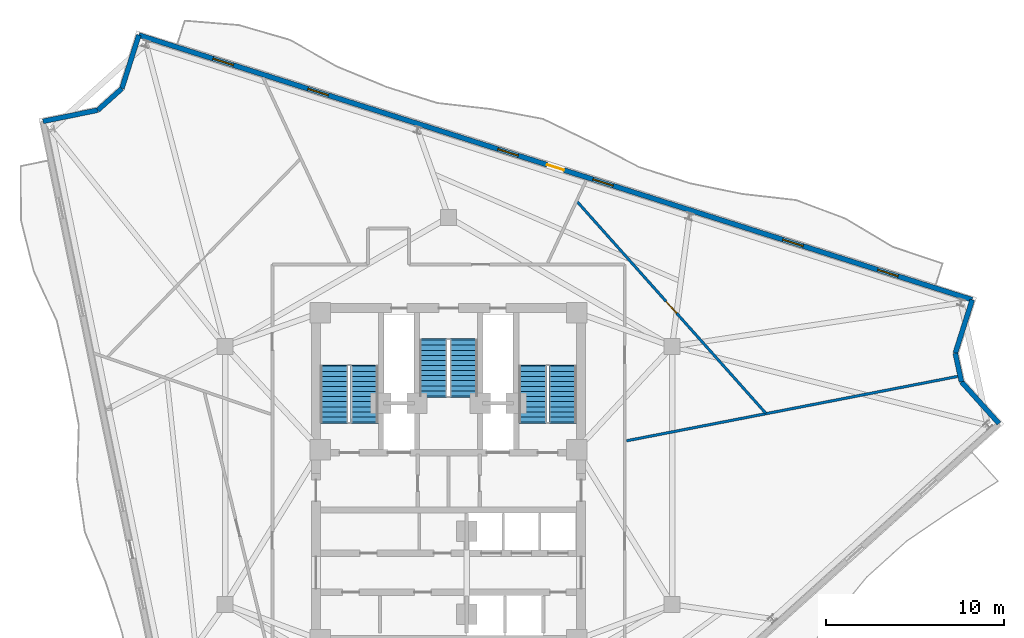
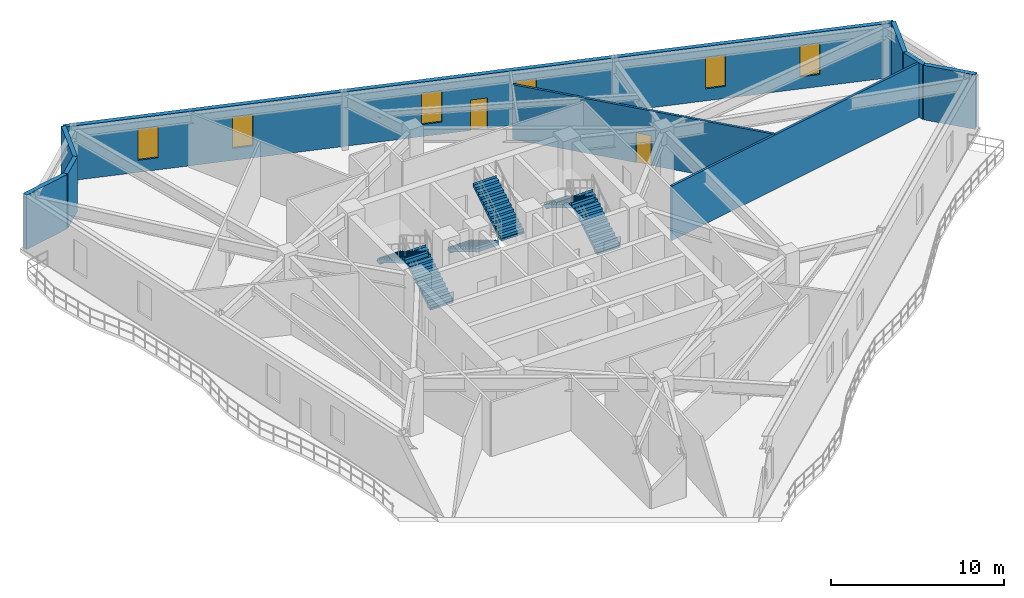
# One storey, part 8 of 12: 9 walls, 6 stair flights, 6 windows, 2 doors, 8 openings, 3 elements without a shape of their own.
"""IFC4 building model written with IfcOpenShell, lengths in metres."""

from ifc_helpers import new_model, si_unit, direction, frame, frame_2d, origin, place, context, subcontext, project, spatial, polyline, rectangle, outline, extrude, material, layer, layer_set, type_object, element, fill, aggregate, save


model = new_model("IFC4")

# Units and contexts
model_context = context("Model", 3, precision=1e-05, world=origin(), true_north=direction((0.0, 1.0)))
body_context = subcontext(model_context, "Body", "Model", "MODEL_VIEW")
ifc_project = project(units=[si_unit("LENGTHUNIT", "METRE"), si_unit("AREAUNIT", "SQUARE_METRE"), si_unit("VOLUMEUNIT", "CUBIC_METRE"), si_unit("PLANEANGLEUNIT", "RADIAN"), si_unit("MASSUNIT", "GRAM", prefix="KILO")], contexts=[model_context])

# Site, building, storey
site_placement = place(None, origin())
site = spatial("IfcSite", under=ifc_project, at=site_placement, CompositionType="ELEMENT")
building_placement = place(site_placement, origin())
building = spatial("IfcBuilding", under=site, at=building_placement, Name="Apsidion Concourse Tower", CompositionType="ELEMENT")
storey_placement = place(building_placement, frame((0.0, 0.0, 240.39990234375)))
storey = spatial("IfcBuildingStorey", under=building, at=storey_placement, Name="L56", CompositionType="ELEMENT", Elevation=240.39990234375)

# Wall, openings, door, windows
ifc_material_1 = material(Name="Precast concrete C40/50", Category="concrete")
ifc_layer_1 = layer(ifc_material_1, 0.280029296875)
ifc_layer_set_1 = layer_set([ifc_layer_1], Name="Precast concrete C40/50")
wall_type_1 = type_object("IfcWallType", Name="WL-EXT-280", PredefinedType="STANDARD", material=ifc_layer_set_1)
wall_1_placement = place(storey_placement, frame((-17.4072265625, 24.74755859375, 0.0), z_axis=(0.0, 0.0, 1.0), x_axis=(0.953082756031, -0.302709861346, 0.0)))
wall_1 = element("IfcWall", 1, at=wall_1_placement, inside=storey, type_object=wall_type_1, Name="L56 Precast Stone Facade Wall 01", PredefinedType="STANDARD", context=body_context, shape_type="SweptSolid", body=[
    extrude(rectangle(XDim=49.14501953125, YDim=0.280029296875, at=frame_2d((24.572509765625, 0.0))), origin(), (0.0, 0.0, 1.0), 3.85009765625),
])
opening_1_placement = place(wall_1_placement, frame((24.072509765625, 0.0, 0.0)))
opening_1 = element("IfcOpeningElement", 2, at=opening_1_placement, cuts=wall_1, Name="Opening D-T1L", PredefinedType="OPENING", context=body_context, shape_type="SweptSolid", body=[
    extrude(rectangle(XDim=1.0, YDim=2.14990234375, at=frame_2d((0.5, 1.074951171875))), frame((0.0, 0.14990234375, 0.0), z_axis=(0.0, -1.0, 0.0), x_axis=(1.0, 0.0, 0.0)), (0.0, 0.0, 1.0), 0.300048828125),
])
opening_2_placement = place(wall_1_placement, frame((4.37255859375, 0.0, 0.85009765625)))
opening_2 = element("IfcOpeningElement", 3, at=opening_2_placement, cuts=wall_1, Name="Opening WN-06", PredefinedType="OPENING", context=body_context, shape_type="SweptSolid", body=[
    extrude(rectangle(XDim=1.199951171875, YDim=2.199951171875, at=frame_2d((0.60009765625, 1.10009765625))), frame((0.0, 0.14990234375, 0.0), z_axis=(0.0, -1.0, 0.0), x_axis=(1.0, 0.0, 0.0)), (0.0, 0.0, 1.0), 0.300048828125),
])
opening_3_placement = place(wall_1_placement, frame((9.97265625, 0.0, 0.85009765625)))
opening_3 = element("IfcOpeningElement", 4, at=opening_3_placement, cuts=wall_1, Name="Opening WN-06", PredefinedType="OPENING", context=body_context, shape_type="SweptSolid", body=[
    extrude(rectangle(XDim=1.199951171875, YDim=2.199951171875, at=frame_2d((0.60009765625, 1.10009765625))), frame((0.0, 0.14990234375, 0.0), z_axis=(0.0, -1.0, 0.0), x_axis=(1.0, 0.0, 0.0)), (0.0, 0.0, 1.0), 0.300048828125),
])
opening_4_placement = place(wall_1_placement, frame((21.172607421875, 0.0, 0.85009765625)))
opening_4 = element("IfcOpeningElement", 5, at=opening_4_placement, cuts=wall_1, Name="Opening WN-06", PredefinedType="OPENING", context=body_context, shape_type="SweptSolid", body=[
    extrude(rectangle(XDim=1.199951171875, YDim=2.199951171875, at=frame_2d((0.60009765625, 1.10009765625))), frame((0.0, 0.14990234375, 0.0), z_axis=(0.0, -1.0, 0.0), x_axis=(1.0, 0.0, 0.0)), (0.0, 0.0, 1.0), 0.300048828125),
])
opening_5_placement = place(wall_1_placement, frame((26.772705078125, 0.0, 0.85009765625)))
opening_5 = element("IfcOpeningElement", 6, at=opening_5_placement, cuts=wall_1, Name="Opening WN-06", PredefinedType="OPENING", context=body_context, shape_type="SweptSolid", body=[
    extrude(rectangle(XDim=1.199951171875, YDim=2.199951171875, at=frame_2d((0.60009765625, 1.10009765625))), frame((0.0, 0.14990234375, 0.0), z_axis=(0.0, -1.0, 0.0), x_axis=(1.0, 0.0, 0.0)), (0.0, 0.0, 1.0), 0.300048828125),
])
opening_6_placement = place(wall_1_placement, frame((37.97265625, 0.0, 0.85009765625)))
opening_6 = element("IfcOpeningElement", 7, at=opening_6_placement, cuts=wall_1, Name="Opening WN-06", PredefinedType="OPENING", context=body_context, shape_type="SweptSolid", body=[
    extrude(rectangle(XDim=1.199951171875, YDim=2.199951171875, at=frame_2d((0.60009765625, 1.10009765625))), frame((0.0, 0.14990234375, 0.0), z_axis=(0.0, -1.0, 0.0), x_axis=(1.0, 0.0, 0.0)), (0.0, 0.0, 1.0), 0.300048828125),
])
opening_7_placement = place(wall_1_placement, frame((43.572509765625, 0.0, 0.85009765625)))
opening_7 = element("IfcOpeningElement", 8, at=opening_7_placement, cuts=wall_1, Name="Opening WN-06", PredefinedType="OPENING", context=body_context, shape_type="SweptSolid", body=[
    extrude(rectangle(XDim=1.199951171875, YDim=2.199951171875, at=frame_2d((0.60009765625, 1.10009765625))), frame((0.0, 0.14990234375, 0.0), z_axis=(0.0, -1.0, 0.0), x_axis=(1.0, 0.0, 0.0)), (0.0, 0.0, 1.0), 0.300048828125),
])
ifc_material_2 = material(Name="Anodised aluminium EN AW-6063 T6", Category="aluminium")
door_type_1 = type_object("IfcDoorType", Name="DR-TER-1022L", OperationType="SINGLE_SWING_LEFT", PredefinedType="DOOR", material=ifc_material_2)
door_1_placement = place(opening_1_placement, origin())
door_1 = element("IfcDoor", 9, at=door_1_placement, inside=storey, type_object=door_type_1, Name="L56 Balcony Access Door 3", OperationType="SINGLE_SWING_LEFT", OverallHeight=2.14990234375, OverallWidth=1.0, PredefinedType="DOOR", context=body_context, shape_type="SweptSolid", body=[
    extrude(rectangle(XDim=1.0, YDim=2.14990234375, at=frame_2d((0.5, 1.074951171875))), frame((0.0, 0.02490234375, 0.0), z_axis=(0.0, -1.0, 0.0), x_axis=(1.0, 0.0, 0.0)), (0.0, 0.0, 1.0), 0.050048828125),
])
fill(opening_1, door_1)
ifc_material_3 = material(Name="Insulated laminated low-E glass", Category="glass")
window_type = type_object("IfcWindowType", Name="WN-OFF-1224", PartitioningType="SINGLE_PANEL", PredefinedType="WINDOW", material=ifc_material_3)
window_1_placement = place(opening_2_placement, origin())
window_1 = element("IfcWindow", 10, at=window_1_placement, inside=storey, type_object=window_type, Name="L56 Punched Facade Window 1-01", OverallHeight=2.199951171875, OverallWidth=1.199951171875, PartitioningType="SINGLE_PANEL", PredefinedType="WINDOW", context=body_context, shape_type="SweptSolid", body=[
    extrude(rectangle(XDim=1.199951171875, YDim=2.199951171875, at=frame_2d((0.60009765625, 1.10009765625))), frame((0.0, 0.030029296875, 0.0), z_axis=(0.0, -1.0, 0.0), x_axis=(1.0, 0.0, 0.0)), (0.0, 0.0, 1.0), 0.06005859375),
])
fill(opening_2, window_1)
window_2_placement = place(opening_3_placement, origin())
window_2 = element("IfcWindow", 11, at=window_2_placement, inside=storey, type_object=window_type, Name="L56 Punched Facade Window 1-02", OverallHeight=2.199951171875, OverallWidth=1.199951171875, PartitioningType="SINGLE_PANEL", PredefinedType="WINDOW", context=body_context, shape_type="SweptSolid", body=[
    extrude(rectangle(XDim=1.199951171875, YDim=2.199951171875, at=frame_2d((0.60009765625, 1.10009765625))), frame((0.0, 0.030029296875, 0.0), z_axis=(0.0, -1.0, 0.0), x_axis=(1.0, 0.0, 0.0)), (0.0, 0.0, 1.0), 0.06005859375),
])
fill(opening_3, window_2)
window_3_placement = place(opening_4_placement, origin())
window_3 = element("IfcWindow", 12, at=window_3_placement, inside=storey, type_object=window_type, Name="L56 Punched Facade Window 1-04", OverallHeight=2.199951171875, OverallWidth=1.199951171875, PartitioningType="SINGLE_PANEL", PredefinedType="WINDOW", context=body_context, shape_type="SweptSolid", body=[
    extrude(rectangle(XDim=1.199951171875, YDim=2.199951171875, at=frame_2d((0.60009765625, 1.10009765625))), frame((0.0, 0.030029296875, 0.0), z_axis=(0.0, -1.0, 0.0), x_axis=(1.0, 0.0, 0.0)), (0.0, 0.0, 1.0), 0.06005859375),
])
fill(opening_4, window_3)
window_4_placement = place(opening_5_placement, origin())
window_4 = element("IfcWindow", 13, at=window_4_placement, inside=storey, type_object=window_type, Name="L56 Punched Facade Window 1-05", OverallHeight=2.199951171875, OverallWidth=1.199951171875, PartitioningType="SINGLE_PANEL", PredefinedType="WINDOW", context=body_context, shape_type="SweptSolid", body=[
    extrude(rectangle(XDim=1.199951171875, YDim=2.199951171875, at=frame_2d((0.60009765625, 1.10009765625))), frame((0.0, 0.030029296875, 0.0), z_axis=(0.0, -1.0, 0.0), x_axis=(1.0, 0.0, 0.0)), (0.0, 0.0, 1.0), 0.06005859375),
])
fill(opening_5, window_4)
window_5_placement = place(opening_6_placement, origin())
window_5 = element("IfcWindow", 14, at=window_5_placement, inside=storey, type_object=window_type, Name="L56 Punched Facade Window 1-07", OverallHeight=2.199951171875, OverallWidth=1.199951171875, PartitioningType="SINGLE_PANEL", PredefinedType="WINDOW", context=body_context, shape_type="SweptSolid", body=[
    extrude(rectangle(XDim=1.199951171875, YDim=2.199951171875, at=frame_2d((0.60009765625, 1.10009765625))), frame((0.0, 0.030029296875, 0.0), z_axis=(0.0, -1.0, 0.0), x_axis=(1.0, 0.0, 0.0)), (0.0, 0.0, 1.0), 0.06005859375),
])
fill(opening_6, window_5)
window_6_placement = place(opening_7_placement, origin())
window_6 = element("IfcWindow", 15, at=window_6_placement, inside=storey, type_object=window_type, Name="L56 Punched Facade Window 1-08", OverallHeight=2.199951171875, OverallWidth=1.199951171875, PartitioningType="SINGLE_PANEL", PredefinedType="WINDOW", context=body_context, shape_type="SweptSolid", body=[
    extrude(rectangle(XDim=1.199951171875, YDim=2.199951171875, at=frame_2d((0.60009765625, 1.10009765625))), frame((0.0, 0.030029296875, 0.0), z_axis=(0.0, -1.0, 0.0), x_axis=(1.0, 0.0, 0.0)), (0.0, 0.0, 1.0), 0.06005859375),
])
fill(opening_7, window_6)

# Walls
wall_2_placement = place(storey_placement, frame((29.43212890625, 9.870849609375, 0.0), z_axis=(0.0, 0.0, 1.0), x_axis=(-0.30264059672, -0.953104752489, 0.0)))
element("IfcWall", 16, at=wall_2_placement, inside=storey, type_object=wall_type_1, Name="L56 Precast Stone Facade Wall 02", PredefinedType="STANDARD", context=body_context, shape_type="SweptSolid", body=[
    extrude(rectangle(XDim=3.150146484375, YDim=0.280029296875, at=frame_2d((1.5751953125, 0.0))), origin(), (0.0, 0.0, 1.0), 3.85009765625),
])
wall_3_placement = place(storey_placement, frame((28.478759765625, 6.868408203125, 0.0), z_axis=(0.0, 0.0, 1.0), x_axis=(0.211126358094, -0.977458777094, 0.0)))
element("IfcWall", 17, at=wall_3_placement, inside=storey, type_object=wall_type_1, Name="L56 Precast Stone Facade Wall 03", PredefinedType="STANDARD", context=body_context, shape_type="SweptSolid", body=[
    extrude(rectangle(XDim=1.64892578125, YDim=0.280029296875, at=frame_2d((0.824462890625, 0.0))), origin(), (0.0, 0.0, 1.0), 3.85009765625),
])
wall_4_placement = place(storey_placement, frame((28.826904296875, 5.256591796875, 0.0), z_axis=(0.0, 0.0, 1.0), x_axis=(0.669127439782, -0.743147676663, 0.0)))
element("IfcWall", 18, at=wall_4_placement, inside=storey, type_object=wall_type_1, Name="L56 Precast Stone Facade Wall 04", PredefinedType="STANDARD", context=body_context, shape_type="SweptSolid", body=[
    extrude(rectangle(XDim=3.14990234375, YDim=0.280029296875, at=frame_2d((1.574951171875, 0.0))), origin(), (0.0, 0.0, 1.0), 3.85009765625),
])
wall_5_placement = place(storey_placement, frame((-22.79248046875, 19.898681640625, 0.0), z_axis=(0.0, 0.0, 1.0), x_axis=(0.979502474011, 0.201432131016, 0.0)))
element("IfcWall", 19, at=wall_5_placement, inside=storey, type_object=wall_type_1, Name="L56 Precast Stone Facade Wall 10", PredefinedType="STANDARD", context=body_context, shape_type="SweptSolid", body=[
    extrude(rectangle(XDim=3.1513671875, YDim=0.280029296875, at=frame_2d((1.57568359375, 0.0))), origin(), (0.0, 0.0, 1.0), 3.85009765625),
])
wall_6_placement = place(storey_placement, frame((-19.705810546875, 20.533447265625, 0.0), z_axis=(0.0, 0.0, 1.0), x_axis=(0.743173371482, 0.669098901449, 0.0)))
element("IfcWall", 20, at=wall_6_placement, inside=storey, type_object=wall_type_1, Name="L56 Precast Stone Facade Wall 11", PredefinedType="STANDARD", context=body_context, shape_type="SweptSolid", body=[
    extrude(rectangle(XDim=1.809326171875, YDim=0.280029296875, at=frame_2d((0.90478515625, 0.0))), origin(), (0.0, 0.0, 1.0), 3.85009765625),
])
wall_7_placement = place(storey_placement, frame((-18.361083984375, 21.744140625, 0.0), z_axis=(0.0, 0.0, 1.0), x_axis=(0.302691963624, 0.953088440365, 0.0)))
element("IfcWall", 21, at=wall_7_placement, inside=storey, type_object=wall_type_1, Name="L56 Precast Stone Facade Wall 12", PredefinedType="STANDARD", context=body_context, shape_type="SweptSolid", body=[
    extrude(rectangle(XDim=3.1513671875, YDim=0.280029296875, at=frame_2d((1.57568359375, 0.0))), origin(), (0.0, 0.0, 1.0), 3.85009765625),
])
ifc_material_4 = material(Name="Gypsum plasterboard partition")
ifc_layer_2 = layer(ifc_material_4, 0.14990234375)
ifc_layer_set_2 = layer_set([ifc_layer_2], Name="Gypsum plasterboard partition")
wall_type_2 = type_object("IfcWallType", Name="WL-INT-PAR-150", PredefinedType="PARTITIONING", material=ifc_layer_set_2)
wall_8_placement = place(storey_placement, frame((10.0048828125, 1.94482421875, 0.0), z_axis=(0.0, 0.0, 1.0), x_axis=(0.981627928787, 0.190805160896, 0.0)))
element("IfcWall", 22, at=wall_8_placement, inside=storey, type_object=wall_type_2, Name="L56 Interior Partition WL-L56-RAD-01-1", PredefinedType="PARTITIONING", context=body_context, shape_type="SweptSolid", body=[
    extrude(rectangle(XDim=18.946044921875, YDim=0.14990234375, at=frame_2d((9.47314453125, 0.0))), origin(), (0.0, 0.0, 1.0), 3.85009765625),
])

# Wall, opening, door
wall_9_placement = place(storey_placement, frame((17.830322265625, 3.4912109375, 0.0), z_axis=(0.0, 0.0, 1.0), x_axis=(-0.665420932844, 0.746468339672, 0.0)))
wall_9 = element("IfcWall", 23, at=wall_9_placement, inside=storey, type_object=wall_type_2, Name="L56 Interior Partition WL-L56-CHD-OFS04", PredefinedType="PARTITIONING", context=body_context, shape_type="SweptSolid", body=[
    extrude(rectangle(XDim=15.959228515625, YDim=0.14990234375, at=frame_2d((7.9794921875, 0.0))), origin(), (0.0, 0.0, 1.0), 3.85009765625),
])
opening_8_placement = place(wall_9_placement, frame((7.529541015625, 0.0, 0.0)))
opening_8 = element("IfcOpeningElement", 24, at=opening_8_placement, cuts=wall_9, Name="Opening D-02L", PredefinedType="OPENING", context=body_context, shape_type="SweptSolid", body=[
    extrude(rectangle(XDim=0.89990234375, YDim=2.10009765625, at=frame_2d((0.449951171875, 1.050048828125))), frame((0.0, 0.0849609375, 0.0), z_axis=(0.0, -1.0, 0.0), x_axis=(1.0, 0.0, 0.0)), (0.0, 0.0, 1.0), 0.169921875),
])
door_type_2 = type_object("IfcDoorType", Name="DR-INT-D02L", OperationType="SINGLE_SWING_LEFT", PredefinedType="DOOR", material=ifc_material_2)
door_2_placement = place(opening_8_placement, origin())
door_2 = element("IfcDoor", 25, at=door_2_placement, inside=storey, type_object=door_type_2, Name="L56 Suite Connecting Door OFS04", OperationType="SINGLE_SWING_LEFT", OverallHeight=2.10009765625, OverallWidth=0.89990234375, PredefinedType="DOOR", context=body_context, shape_type="SweptSolid", body=[
    extrude(rectangle(XDim=0.89990234375, YDim=2.10009765625, at=frame_2d((0.449951171875, 1.050048828125))), frame((0.0, 0.02490234375, 0.0), z_axis=(0.0, -1.0, 0.0), x_axis=(1.0, 0.0, 0.0)), (0.0, 0.0, 1.0), 0.050048828125),
])
fill(opening_8, door_2)

# Stair, stair flights
stair_type = type_object("IfcStairType", Name="ST-DL-1550", PredefinedType="HALF_TURN_STAIR", material=ifc_material_1)
stair_1_placement = place(storey_placement, origin())
stair_1 = element("IfcStair", 26, at=stair_1_placement, inside=storey, type_object=stair_type, Name="L56 Protected Core Exit Stair ST1", PredefinedType="HALF_TURN_STAIR")
stair_flight_type = type_object("IfcStairFlightType", Name="SFL-RC-1550", PredefinedType="STRAIGHT", material=ifc_material_1)
stair_flight_1_placement = place(storey_placement, frame((-4.72509765625, 3.0, 0.0), z_axis=(0.0, 0.0, 1.0), x_axis=(0.0, 1.0, 0.0)))
stair_flight_1 = element("IfcStairFlight", 27, at=stair_flight_1_placement, type_object=stair_flight_type, Name="ST1 flight 1", NumberOfRisers=12, NumberOfTreads=11, PredefinedType="STRAIGHT", RiserHeight=0.170833333, TreadLength=0.285, context=body_context, shape_type="SweptSolid", body=[
    extrude(outline(polyline([(-0.080078125, -0.1123046875), (-0.080078125, 0.0), (0.0, 0.0), (0.0, 0.1708984375), (0.284912109375, 0.1708984375), (0.284912109375, 0.341552734375), (0.570068359375, 0.341552734375), (0.570068359375, 0.512451171875), (0.85498046875, 0.512451171875), (0.85498046875, 0.683349609375), (1.139892578125, 0.683349609375), (1.139892578125, 0.854248046875), (1.425048828125, 0.854248046875), (1.425048828125, 1.02490234375), (1.7099609375, 1.02490234375), (1.7099609375, 1.19580078125), (1.9951171875, 1.19580078125), (1.9951171875, 1.36669921875), (2.280029296875, 1.36669921875), (2.280029296875, 1.53759765625), (2.56494140625, 1.53759765625), (2.56494140625, 1.708251953125), (2.85009765625, 1.708251953125), (2.85009765625, 1.879150390625), (3.135009765625, 1.879150390625), (3.135009765625, 2.050048828125), (3.215087890625, 1.964599609375), (3.215087890625, 1.704345703125), (3.135009765625, 1.704345703125), (0.29150390625, 0.0), (0.29150390625, -0.1123046875), (-0.080078125, -0.1123046875)])), frame((0.0, 0.77490234375, 0.0), z_axis=(0.0, -1.0, 0.0), x_axis=(1.0, 0.0, 0.0)), (0.0, 0.0, 1.0), 1.550048828125),
])
stair_flight_2_placement = place(storey_placement, frame((-6.425048828125, 6.135009765625, 2.050048828125), z_axis=(0.0, 0.0, 1.0), x_axis=(0.0, -1.0, 0.0)))
stair_flight_2 = element("IfcStairFlight", 28, at=stair_flight_2_placement, type_object=stair_flight_type, Name="ST1 flight 2", NumberOfRisers=12, NumberOfTreads=11, PredefinedType="STRAIGHT", RiserHeight=0.170833333, TreadLength=0.285, context=body_context, shape_type="SweptSolid", body=[
    extrude(outline(polyline([(-0.080078125, -0.1123046875), (-0.080078125, 0.0), (0.0, 0.0), (0.0, 0.1708984375), (0.284912109375, 0.1708984375), (0.284912109375, 0.341552734375), (0.570068359375, 0.341552734375), (0.570068359375, 0.512451171875), (0.85498046875, 0.512451171875), (0.85498046875, 0.683349609375), (1.139892578125, 0.683349609375), (1.139892578125, 0.854248046875), (1.425048828125, 0.854248046875), (1.425048828125, 1.02490234375), (1.7099609375, 1.02490234375), (1.7099609375, 1.19580078125), (1.9951171875, 1.19580078125), (1.9951171875, 1.36669921875), (2.280029296875, 1.36669921875), (2.280029296875, 1.53759765625), (2.56494140625, 1.53759765625), (2.56494140625, 1.708251953125), (2.85009765625, 1.708251953125), (2.85009765625, 1.879150390625), (3.135009765625, 1.879150390625), (3.135009765625, 2.050048828125), (3.215087890625, 1.964599609375), (3.215087890625, 1.704345703125), (3.135009765625, 1.704345703125), (0.29150390625, 0.0), (0.29150390625, -0.1123046875), (-0.080078125, -0.1123046875)])), frame((0.0, 0.77490234375, 0.0), z_axis=(0.0, -1.0, 0.0), x_axis=(1.0, 0.0, 0.0)), (0.0, 0.0, 1.0), 1.550048828125),
])
aggregate(stair_1, [stair_flight_1, stair_flight_2])

stair_2_placement = place(storey_placement, origin())
stair_2 = element("IfcStair", 29, at=stair_2_placement, inside=storey, type_object=stair_type, Name="L56 Protected Core Exit Stair ST2", PredefinedType="HALF_TURN_STAIR")
stair_flight_3_placement = place(storey_placement, frame((6.425048828125, 3.0, 0.0), z_axis=(0.0, 0.0, 1.0), x_axis=(0.0, 1.0, 0.0)))
stair_flight_3 = element("IfcStairFlight", 30, at=stair_flight_3_placement, type_object=stair_flight_type, Name="ST2 flight 1", NumberOfRisers=12, NumberOfTreads=11, PredefinedType="STRAIGHT", RiserHeight=0.170833333, TreadLength=0.285, context=body_context, shape_type="SweptSolid", body=[
    extrude(outline(polyline([(-0.080078125, -0.1123046875), (-0.080078125, 0.0), (0.0, 0.0), (0.0, 0.1708984375), (0.284912109375, 0.1708984375), (0.284912109375, 0.341552734375), (0.570068359375, 0.341552734375), (0.570068359375, 0.512451171875), (0.85498046875, 0.512451171875), (0.85498046875, 0.683349609375), (1.139892578125, 0.683349609375), (1.139892578125, 0.854248046875), (1.425048828125, 0.854248046875), (1.425048828125, 1.02490234375), (1.7099609375, 1.02490234375), (1.7099609375, 1.19580078125), (1.9951171875, 1.19580078125), (1.9951171875, 1.36669921875), (2.280029296875, 1.36669921875), (2.280029296875, 1.53759765625), (2.56494140625, 1.53759765625), (2.56494140625, 1.708251953125), (2.85009765625, 1.708251953125), (2.85009765625, 1.879150390625), (3.135009765625, 1.879150390625), (3.135009765625, 2.050048828125), (3.215087890625, 1.964599609375), (3.215087890625, 1.704345703125), (3.135009765625, 1.704345703125), (0.29150390625, 0.0), (0.29150390625, -0.1123046875), (-0.080078125, -0.1123046875)])), frame((0.0, 0.77490234375, 0.0), z_axis=(0.0, -1.0, 0.0), x_axis=(1.0, 0.0, 0.0)), (0.0, 0.0, 1.0), 1.550048828125),
])
stair_flight_4_placement = place(storey_placement, frame((4.72509765625, 6.135009765625, 2.050048828125), z_axis=(0.0, 0.0, 1.0), x_axis=(0.0, -1.0, 0.0)))
stair_flight_4 = element("IfcStairFlight", 31, at=stair_flight_4_placement, type_object=stair_flight_type, Name="ST2 flight 2", NumberOfRisers=12, NumberOfTreads=11, PredefinedType="STRAIGHT", RiserHeight=0.170833333, TreadLength=0.285, context=body_context, shape_type="SweptSolid", body=[
    extrude(outline(polyline([(-0.080078125, -0.1123046875), (-0.080078125, 0.0), (0.0, 0.0), (0.0, 0.1708984375), (0.284912109375, 0.1708984375), (0.284912109375, 0.341552734375), (0.570068359375, 0.341552734375), (0.570068359375, 0.512451171875), (0.85498046875, 0.512451171875), (0.85498046875, 0.683349609375), (1.139892578125, 0.683349609375), (1.139892578125, 0.854248046875), (1.425048828125, 0.854248046875), (1.425048828125, 1.02490234375), (1.7099609375, 1.02490234375), (1.7099609375, 1.19580078125), (1.9951171875, 1.19580078125), (1.9951171875, 1.36669921875), (2.280029296875, 1.36669921875), (2.280029296875, 1.53759765625), (2.56494140625, 1.53759765625), (2.56494140625, 1.708251953125), (2.85009765625, 1.708251953125), (2.85009765625, 1.879150390625), (3.135009765625, 1.879150390625), (3.135009765625, 2.050048828125), (3.215087890625, 1.964599609375), (3.215087890625, 1.704345703125), (3.135009765625, 1.704345703125), (0.29150390625, 0.0), (0.29150390625, -0.1123046875), (-0.080078125, -0.1123046875)])), frame((0.0, 0.77490234375, 0.0), z_axis=(0.0, -1.0, 0.0), x_axis=(1.0, 0.0, 0.0)), (0.0, 0.0, 1.0), 1.550048828125),
])
aggregate(stair_2, [stair_flight_3, stair_flight_4])

stair_3_placement = place(storey_placement, origin())
stair_3 = element("IfcStair", 32, at=stair_3_placement, inside=storey, type_object=stair_type, Name="L56 Protected Core Exit Stair ST3", PredefinedType="HALF_TURN_STAIR")
stair_flight_5_placement = place(storey_placement, frame((-0.85009765625, 7.60009765625, 0.0), z_axis=(0.0, 0.0, 1.0), x_axis=(0.0, -1.0, 0.0)))
stair_flight_5 = element("IfcStairFlight", 33, at=stair_flight_5_placement, type_object=stair_flight_type, Name="ST3 flight 1", NumberOfRisers=12, NumberOfTreads=11, PredefinedType="STRAIGHT", RiserHeight=0.170833333, TreadLength=0.285, context=body_context, shape_type="SweptSolid", body=[
    extrude(outline(polyline([(-0.080078125, -0.1123046875), (-0.080078125, 0.0), (0.0, 0.0), (0.0, 0.1708984375), (0.284912109375, 0.1708984375), (0.284912109375, 0.341552734375), (0.570068359375, 0.341552734375), (0.570068359375, 0.512451171875), (0.85498046875, 0.512451171875), (0.85498046875, 0.683349609375), (1.139892578125, 0.683349609375), (1.139892578125, 0.854248046875), (1.425048828125, 0.854248046875), (1.425048828125, 1.02490234375), (1.7099609375, 1.02490234375), (1.7099609375, 1.19580078125), (1.9951171875, 1.19580078125), (1.9951171875, 1.36669921875), (2.280029296875, 1.36669921875), (2.280029296875, 1.53759765625), (2.56494140625, 1.53759765625), (2.56494140625, 1.708251953125), (2.85009765625, 1.708251953125), (2.85009765625, 1.879150390625), (3.135009765625, 1.879150390625), (3.135009765625, 2.050048828125), (3.215087890625, 1.964599609375), (3.215087890625, 1.704345703125), (3.135009765625, 1.704345703125), (0.29150390625, 0.0), (0.29150390625, -0.1123046875), (-0.080078125, -0.1123046875)])), frame((0.0, 0.77490234375, 0.0), z_axis=(0.0, -1.0, 0.0), x_axis=(1.0, 0.0, 0.0)), (0.0, 0.0, 1.0), 1.550048828125),
])
stair_flight_6_placement = place(storey_placement, frame((0.85009765625, 4.465087890625, 2.050048828125), z_axis=(0.0, 0.0, 1.0), x_axis=(0.0, 1.0, 0.0)))
stair_flight_6 = element("IfcStairFlight", 34, at=stair_flight_6_placement, type_object=stair_flight_type, Name="ST3 flight 2", NumberOfRisers=12, NumberOfTreads=11, PredefinedType="STRAIGHT", RiserHeight=0.170833333, TreadLength=0.285, context=body_context, shape_type="SweptSolid", body=[
    extrude(outline(polyline([(-0.080078125, -0.1123046875), (-0.080078125, 0.0), (0.0, 0.0), (0.0, 0.1708984375), (0.284912109375, 0.1708984375), (0.284912109375, 0.341552734375), (0.570068359375, 0.341552734375), (0.570068359375, 0.512451171875), (0.85498046875, 0.512451171875), (0.85498046875, 0.683349609375), (1.139892578125, 0.683349609375), (1.139892578125, 0.854248046875), (1.425048828125, 0.854248046875), (1.425048828125, 1.02490234375), (1.7099609375, 1.02490234375), (1.7099609375, 1.19580078125), (1.9951171875, 1.19580078125), (1.9951171875, 1.36669921875), (2.280029296875, 1.36669921875), (2.280029296875, 1.53759765625), (2.56494140625, 1.53759765625), (2.56494140625, 1.708251953125), (2.85009765625, 1.708251953125), (2.85009765625, 1.879150390625), (3.135009765625, 1.879150390625), (3.135009765625, 2.050048828125), (3.215087890625, 1.964599609375), (3.215087890625, 1.704345703125), (3.135009765625, 1.704345703125), (0.29150390625, 0.0), (0.29150390625, -0.1123046875), (-0.080078125, -0.1123046875)])), frame((0.0, 0.77490234375, 0.0), z_axis=(0.0, -1.0, 0.0), x_axis=(1.0, 0.0, 0.0)), (0.0, 0.0, 1.0), 1.550048828125),
])
aggregate(stair_3, [stair_flight_5, stair_flight_6])

save(model, "model.ifc")
